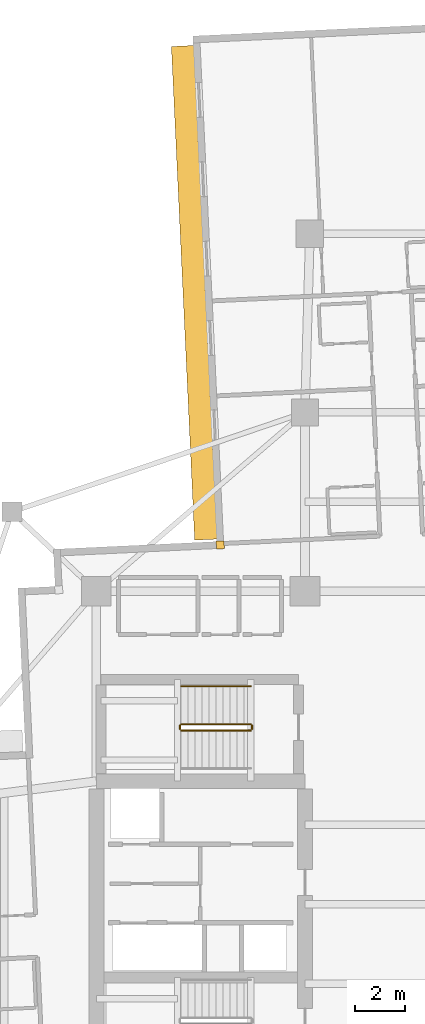
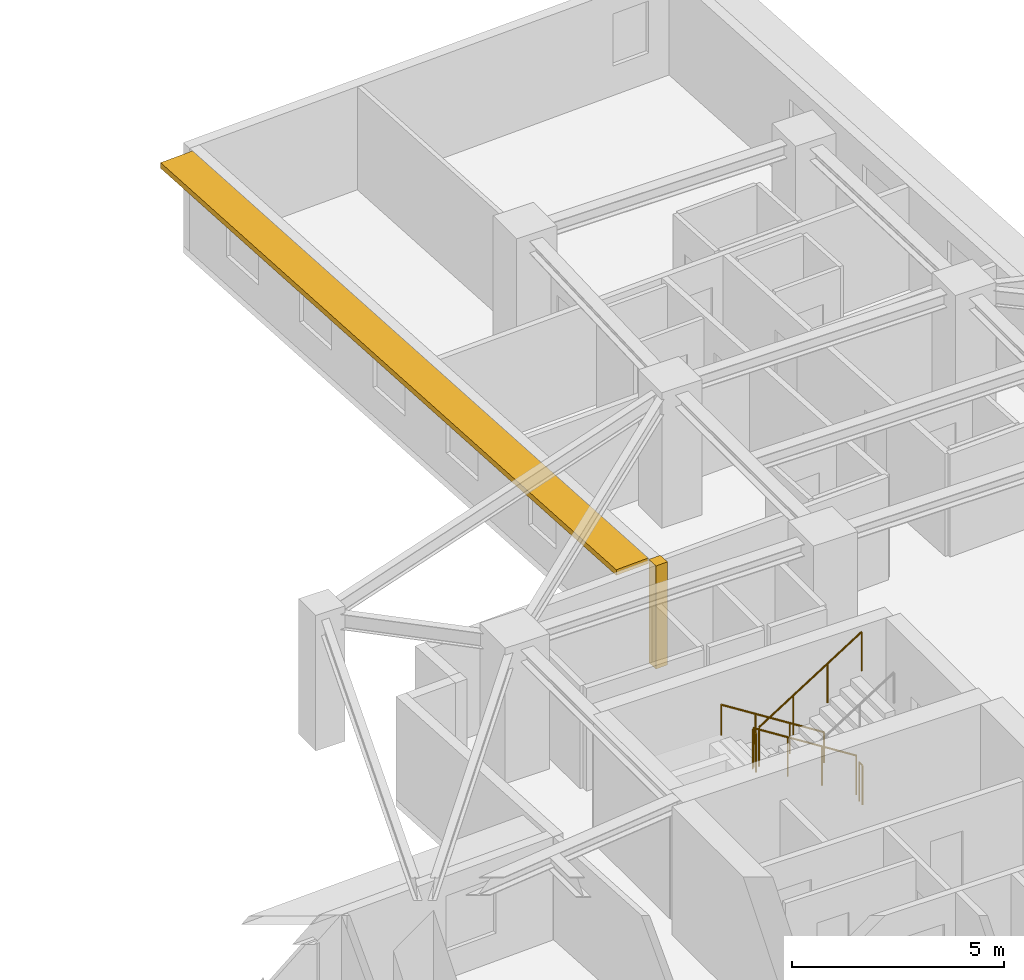
# One storey, part 13 of 14: 5 railings, 1 covering, 1 shading device.
"""IFC4 building model written with IfcOpenShell, lengths in metres."""

from ifc_helpers import new_model, si_unit, direction, frame, origin, origin_2d, place, context, subcontext, project, spatial, rectangle, circle, extrude, material, layer, layer_set, type_object, element, save


model = new_model("IFC4")

# Units and contexts
model_context = context("Model", 3, precision=1e-05, world=origin(), true_north=direction((0.0, 1.0)))
body_context = subcontext(model_context, "Body", "Model", "MODEL_VIEW")
ifc_project = project(units=[si_unit("LENGTHUNIT", "METRE"), si_unit("AREAUNIT", "SQUARE_METRE"), si_unit("VOLUMEUNIT", "CUBIC_METRE"), si_unit("PLANEANGLEUNIT", "RADIAN"), si_unit("MASSUNIT", "GRAM", prefix="KILO")], contexts=[model_context])

# Site, building, storey
site_placement = place(None, origin())
site = spatial("IfcSite", under=ifc_project, at=site_placement, CompositionType="ELEMENT")
building_placement = place(site_placement, origin())
building = spatial("IfcBuilding", under=site, at=building_placement, Name="Qingluan Cross Belvedere", CompositionType="ELEMENT")
storey_placement = place(building_placement, frame((0.0, 0.0, 132.0)))
storey = spatial("IfcBuildingStorey", under=building, at=storey_placement, Name="L33", CompositionType="ELEMENT", Elevation=132.0)

# Covering
ifc_material_1 = material(Name="Precast concrete C45", Category="concrete")
ifc_layer_1 = layer(ifc_material_1, 0.1201171875, Name="ConcreteSpandrelCladding_120")
ifc_layer_set_1 = layer_set([ifc_layer_1], Name="Precast concrete C45")
covering_type = type_object("IfcCoveringType", Name="ConcreteSpandrelCladding_120", PredefinedType="CLADDING", material=ifc_layer_set_1)
covering_placement = place(storey_placement, frame((-7.40966796875, 14.467041015625, 0.0), z_axis=(0.0, 0.0, 1.0), x_axis=(0.998889874962, 0.04710645071, 0.0)))
element("IfcCovering", 1, at=covering_placement, inside=storey, type_object=covering_type, Name="Corner closure L33-NW2", PredefinedType="CLADDING", context=body_context, shape_type="SweptSolid", body=[
    extrude(rectangle(XDim=0.320068359375, YDim=0.320068359375, at=origin_2d()), origin(), (0.0, 0.0, 1.0), 2.969970703125),
])

# Shading device
ifc_material_2 = material(Name="Precast concrete C45", Category="concrete")
ifc_layer_2 = layer(ifc_material_2, 0.159912109375, Name="ConcreteSunshadeBand_900")
ifc_layer_set_2 = layer_set([ifc_layer_2], Name="Precast concrete C45")
shading_device_type = type_object("IfcShadingDeviceType", Name="ConcreteSunshadeBand_900", PredefinedType="USERDEFINED", material=ifc_layer_set_2)
shading_device_placement = place(storey_placement, frame((-8.458984375, 24.618896484375, 2.7900390625), z_axis=(0.0, 0.0, 1.0), x_axis=(0.047104684445, -0.998889958255, 0.0)))
element("IfcShadingDevice", 2, at=shading_device_placement, inside=storey, type_object=shading_device_type, Name="Concrete SUNSHADE L33-NB", ObjectType="SUNSHADE", PredefinedType="USERDEFINED", context=body_context, shape_type="SweptSolid", body=[
    extrude(rectangle(XDim=19.89990234375, YDim=0.89990234375, at=origin_2d()), origin(), (0.0, 0.0, 1.0), 0.159912109375),
])

# Railings
ifc_material_3 = material(Name="Brushed stainless steel tubular handrail", Category="steel")
railing_type_1 = type_object("IfcRailingType", Name="StairPitchHandrail_900", PredefinedType="HANDRAIL", material=ifc_material_3)
railing_1_placement = place(storey_placement, frame((-6.179931640625, 8.77001953125, 0.17724609375)))
element("IfcRailing", 3, at=railing_1_placement, inside=storey, type_object=railing_type_1, Name="L33 ST3 stair handrail 1", PredefinedType="HANDRAIL", context=body_context, shape_type="SweptSolid", body=[
    extrude(circle(Radius=0.02392578125, at=origin_2d()), frame((0.0, 0.0, 0.8759765625), z_axis=(-0.844908973607, 0.0, 0.534910110503), x_axis=(0.0, -1.0, 0.0)), (0.0, 0.0, 1.0), 3.31396484375),
    extrude(circle(Radius=0.02099609375, at=origin_2d()), origin(), (0.0, 0.0, 1.0), 0.851806640625),
    extrude(circle(Radius=0.02099609375, at=origin_2d()), frame((-0.933349609375, 0.0, 0.5908203125)), (0.0, 0.0, 1.0), 0.851806640625),
    extrude(circle(Radius=0.02099609375, at=origin_2d()), frame((-1.86669921875, 0.0, 1.181884765625)), (0.0, 0.0, 1.0), 0.851806640625),
    extrude(circle(Radius=0.02099609375, at=origin_2d()), frame((-2.800048828125, 0.0, 1.772705078125)), (0.0, 0.0, 1.0), 0.851806640625),
])
ifc_material_4 = material(Name="Painted steel stair well guard", Category="steel")
railing_type_2 = type_object("IfcRailingType", Name="StairWellGuard_1150", PredefinedType="BALUSTRADE", material=ifc_material_4)
railing_2_placement = place(storey_placement, frame((-6.179931640625, 7.25, 0.17724609375)))
element("IfcRailing", 4, at=railing_2_placement, inside=storey, type_object=railing_type_2, Name="L33 ST3 stair guard 1", PredefinedType="BALUSTRADE", context=body_context, shape_type="SweptSolid", body=[
    extrude(circle(Radius=0.02392578125, at=origin_2d()), frame((0.0, 0.0, 1.1259765625), z_axis=(-0.844908973607, 0.0, 0.534910110503), x_axis=(0.0, -1.0, 0.0)), (0.0, 0.0, 1.0), 3.31396484375),
    extrude(circle(Radius=0.02099609375, at=origin_2d()), origin(), (0.0, 0.0, 1.0), 1.101806640625),
    extrude(circle(Radius=0.02099609375, at=origin_2d()), frame((-0.933349609375, 0.0, 0.5908203125)), (0.0, 0.0, 1.0), 1.101806640625),
    extrude(circle(Radius=0.02099609375, at=origin_2d()), frame((-1.86669921875, 0.0, 1.181884765625)), (0.0, 0.0, 1.0), 1.101806640625),
    extrude(circle(Radius=0.02099609375, at=origin_2d()), frame((-2.800048828125, 0.0, 1.772705078125)), (0.0, 0.0, 1.0), 1.101806640625),
])
railing_3_placement = place(storey_placement, frame((-9.030029296875, 7.199951171875, 1.949951171875)))
element("IfcRailing", 5, at=railing_3_placement, inside=storey, type_object=railing_type_2, Name="L33 ST3 stair guard 2", PredefinedType="BALUSTRADE", context=body_context, shape_type="SweptSolid", body=[
    extrude(circle(Radius=0.02392578125, at=origin_2d()), frame((0.0, 0.0, 1.1259765625), z_axis=(0.0, -1.0, 0.0), x_axis=(1.0, 0.0, 0.0)), (0.0, 0.0, 1.0), 0.159912109375),
    extrude(circle(Radius=0.02099609375, at=origin_2d()), origin(), (0.0, 0.0, 1.0), 1.101806640625),
    extrude(circle(Radius=0.02099609375, at=origin_2d()), frame((0.0, -0.159912109375, 0.0)), (0.0, 0.0, 1.0), 1.101806640625),
])
railing_4_placement = place(storey_placement, frame((-8.97998046875, 6.989990234375, 2.127197265625)))
element("IfcRailing", 6, at=railing_4_placement, inside=storey, type_object=railing_type_2, Name="L33 ST3 stair guard 3", PredefinedType="BALUSTRADE", context=body_context, shape_type="SweptSolid", body=[
    extrude(circle(Radius=0.02392578125, at=origin_2d()), frame((0.0, 0.0, 1.1259765625), z_axis=(0.844908973607, 0.0, 0.534910110503), x_axis=(0.0, 1.0, 0.0)), (0.0, 0.0, 1.0), 3.31396484375),
    extrude(circle(Radius=0.02099609375, at=origin_2d()), origin(), (0.0, 0.0, 1.0), 1.101806640625),
    extrude(circle(Radius=0.02099609375, at=origin_2d()), frame((0.933349609375, 0.0, 0.5908203125)), (0.0, 0.0, 1.0), 1.101806640625),
    extrude(circle(Radius=0.02099609375, at=origin_2d()), frame((1.86669921875, 0.0, 1.181884765625)), (0.0, 0.0, 1.0), 1.101806640625),
    extrude(circle(Radius=0.02099609375, at=origin_2d()), frame((2.800048828125, 0.0, 1.772705078125)), (0.0, 0.0, 1.0), 1.101806640625),
])
railing_5_placement = place(storey_placement, frame((-6.1298828125, 7.199951171875, 0.0)))
element("IfcRailing", 7, at=railing_5_placement, inside=storey, type_object=railing_type_2, Name="L33 ST3 stair guard 4", PredefinedType="BALUSTRADE", context=body_context, shape_type="SweptSolid", body=[
    extrude(circle(Radius=0.02392578125, at=origin_2d()), frame((0.0, 0.0, 1.1259765625), z_axis=(0.0, -1.0, 0.0), x_axis=(1.0, 0.0, 0.0)), (0.0, 0.0, 1.0), 0.159912109375),
    extrude(circle(Radius=0.02099609375, at=origin_2d()), origin(), (0.0, 0.0, 1.0), 1.101806640625),
    extrude(circle(Radius=0.02099609375, at=origin_2d()), frame((0.0, -0.159912109375, 0.0)), (0.0, 0.0, 1.0), 1.101806640625),
])

save(model, "model.ifc")
